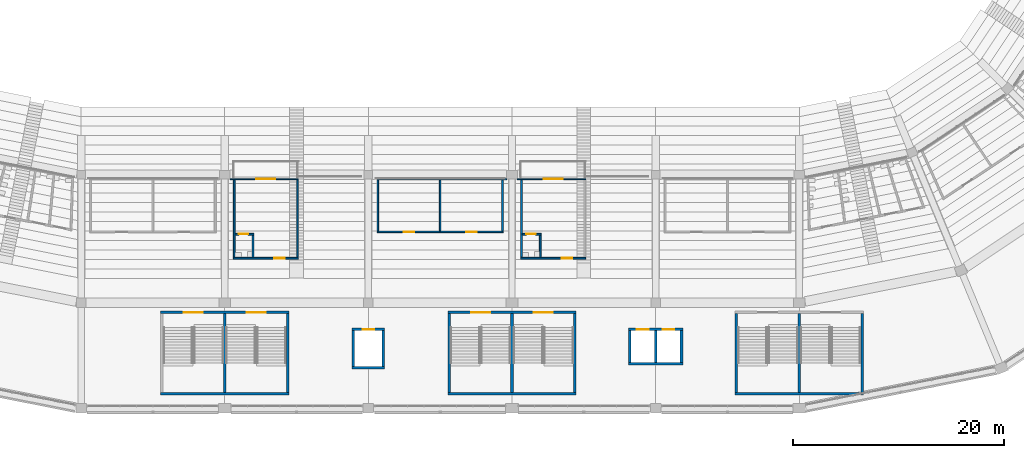
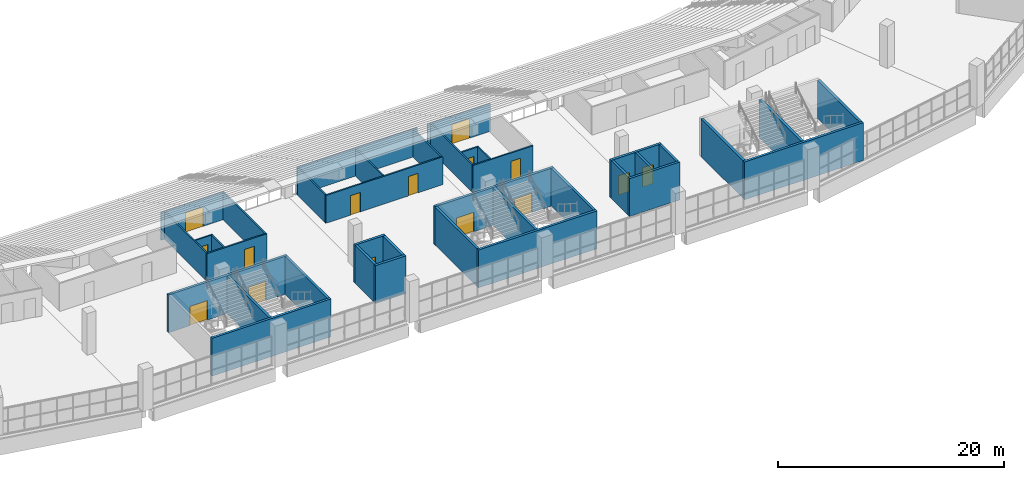
# One storey, part 87 of 249: 38 walls, 15 doors, 15 openings.
"""IFC4 building model written with IfcOpenShell, lengths in metres."""

from ifc_helpers import new_model, si_unit, direction, frame, frame_2d, origin, place, context, subcontext, project, spatial, rectangle, extrude, material, layer, layer_set, type_object, element, fill, save


model = new_model("IFC4")

# Units and contexts
model_context = context("Model", 3, precision=1e-05, world=origin(), true_north=direction((0.0, 1.0)))
body_context = subcontext(model_context, "Body", "Model", "MODEL_VIEW")
ifc_project = project(units=[si_unit("LENGTHUNIT", "METRE"), si_unit("AREAUNIT", "SQUARE_METRE"), si_unit("VOLUMEUNIT", "CUBIC_METRE"), si_unit("PLANEANGLEUNIT", "RADIAN"), si_unit("MASSUNIT", "GRAM", prefix="KILO")], contexts=[model_context])

# Site, building, storey
site_placement = place(None, origin())
site = spatial("IfcSite", under=ifc_project, at=site_placement, CompositionType="ELEMENT")
building_placement = place(site_placement, origin())
building = spatial("IfcBuilding", under=site, at=building_placement, Name="Ogive Plaza Stadium", CompositionType="ELEMENT")
storey_placement = place(building_placement, frame((0.0, 0.0, 13.5)))
storey = spatial("IfcBuildingStorey", under=building, at=storey_placement, Name="L03", CompositionType="ELEMENT", Elevation=13.5)

# Wall, opening, door
ifc_material_1 = material(Name="Masonry blockwork", Category="masonry")
ifc_layer_1 = layer(ifc_material_1, 0.14990234375)
ifc_layer_set_1 = layer_set([ifc_layer_1], Name="Blockwork wall 150")
wall_type_1 = type_object("IfcWallType", Name="Blockwork wall 150", PredefinedType="SOLIDWALL", material=ifc_layer_set_1)
wall_1_placement = place(storey_placement, frame((7.625, -88.300048828125, 0.0), z_axis=(0.0, 0.0, 1.0), x_axis=(1.0, 0.0, 0.0)))
wall_1 = element("IfcWall", 1, at=wall_1_placement, inside=storey, type_object=wall_type_1, Name="Wall L03 B13", PredefinedType="SOLIDWALL", context=body_context, shape_type="SweptSolid", body=[
    extrude(rectangle(XDim=6.14990234375, YDim=0.14990234375, at=frame_2d((3.074951171875, 0.0))), origin(), (0.0, 0.0, 1.0), 3.0),
])
opening_1_placement = place(wall_1_placement, frame((3.862060546875, 0.0, 0.0)))
opening_1 = element("IfcOpeningElement", 2, at=opening_1_placement, cuts=wall_1, Name="Opening D0801", PredefinedType="OPENING", context=body_context, shape_type="SweptSolid", body=[
    extrude(rectangle(XDim=1.0, YDim=2.10009765625, at=frame_2d((0.5, 1.050048828125))), frame((0.0, 0.074951171875, 0.0), z_axis=(0.0, -1.0, 0.0), x_axis=(1.0, 0.0, 0.0)), (0.0, 0.0, 1.0), 0.14990234375),
])
ifc_material_2 = material(Name="Steel ASTM A572 Grade 50", Category="steel")
door_type_1 = type_object("IfcDoorType", Name="Fire door FD30S 1000 x 2100", OperationType="SINGLE_SWING_LEFT", PredefinedType="DOOR", material=ifc_material_2)
door_1_placement = place(opening_1_placement, origin())
door_1 = element("IfcDoor", 3, at=door_1_placement, inside=storey, type_object=door_type_1, Name="Hospitality Suite B13 door", OperationType="SINGLE_SWING_LEFT", OverallHeight=2.10009765625, OverallWidth=1.0, PredefinedType="DOOR", context=body_context, shape_type="SweptSolid", body=[
    extrude(rectangle(XDim=1.0, YDim=2.10009765625, at=frame_2d((0.5, 1.050048828125))), frame((0.0, 0.02490234375, 0.0), z_axis=(0.0, -1.0, 0.0), x_axis=(1.0, 0.0, 0.0)), (0.0, 0.0, 1.0), 0.050048828125),
])
fill(opening_1, door_1)

# Walls
wall_2_placement = place(storey_placement, frame((7.699951171875, -80.85009765625, 0.0), z_axis=(0.0, 0.0, 1.0), x_axis=(0.0, -1.0, 0.0)))
element("IfcWall", 4, at=wall_2_placement, inside=storey, type_object=wall_type_1, Name="Wall L03 B13", PredefinedType="SOLIDWALL", context=body_context, shape_type="SweptSolid", body=[
    extrude(rectangle(XDim=7.375, YDim=0.14990234375, at=frame_2d((3.6875, 0.0))), origin(), (0.0, 0.0, 1.0), 3.0),
])
wall_3_placement = place(storey_placement, frame((6.300048828125, -80.800048828125, 0.0), z_axis=(0.0, 0.0, 1.0), x_axis=(-1.0, 0.0, 0.0)))
element("IfcWall", 5, at=wall_3_placement, inside=storey, type_object=wall_type_1, Name="Wall L03 B14", PredefinedType="SOLIDWALL", context=body_context, shape_type="SweptSolid", body=[
    extrude(rectangle(XDim=12.275146484375, YDim=0.14990234375, at=frame_2d((6.1376953125, 0.0))), origin(), (0.0, 0.0, 1.0), 3.0),
])

# Wall, openings, doors
wall_4_placement = place(storey_placement, frame((5.97509765625, -85.800048828125, 0.0), z_axis=(0.0, 0.0, 1.0), x_axis=(-1.0, 0.0, 0.0)))
wall_4 = element("IfcWall", 6, at=wall_4_placement, inside=storey, type_object=wall_type_1, Name="Wall L03 B14", PredefinedType="SOLIDWALL", context=body_context, shape_type="SweptSolid", body=[
    extrude(rectangle(XDim=11.9501953125, YDim=0.14990234375, at=frame_2d((5.97509765625, 0.0))), origin(), (0.0, 0.0, 1.0), 3.0),
])
opening_2_placement = place(wall_4_placement, frame((2.52490234375, 0.0, 0.0)))
opening_2 = element("IfcOpeningElement", 7, at=opening_2_placement, cuts=wall_4, Name="Opening D0804", PredefinedType="OPENING", context=body_context, shape_type="SweptSolid", body=[
    extrude(rectangle(XDim=1.0, YDim=2.10009765625, at=frame_2d((0.5, 1.050048828125))), frame((0.0, 0.074951171875, 0.0), z_axis=(0.0, -1.0, 0.0), x_axis=(1.0, 0.0, 0.0)), (0.0, 0.0, 1.0), 0.14990234375),
])
opening_3_placement = place(wall_4_placement, frame((8.425048828125, 0.0, 0.0)))
opening_3 = element("IfcOpeningElement", 8, at=opening_3_placement, cuts=wall_4, Name="Opening D0805", PredefinedType="OPENING", context=body_context, shape_type="SweptSolid", body=[
    extrude(rectangle(XDim=1.0, YDim=2.10009765625, at=frame_2d((0.5, 1.050048828125))), frame((0.0, 0.074951171875, 0.0), z_axis=(0.0, -1.0, 0.0), x_axis=(1.0, 0.0, 0.0)), (0.0, 0.0, 1.0), 0.14990234375),
])
ifc_material_3 = material(Name="Steel ASTM A572 Grade 50", Category="steel")
door_type_2 = type_object("IfcDoorType", Name="Fire door FD60 1000 x 2100", OperationType="SINGLE_SWING_LEFT", PredefinedType="DOOR", material=ifc_material_3)
door_2_placement = place(opening_2_placement, origin())
door_2 = element("IfcDoor", 9, at=door_2_placement, inside=storey, type_object=door_type_2, Name="Hospitality Pantry B14 door", OperationType="SINGLE_SWING_LEFT", OverallHeight=2.10009765625, OverallWidth=1.0, PredefinedType="DOOR", context=body_context, shape_type="SweptSolid", body=[
    extrude(rectangle(XDim=1.0, YDim=2.10009765625, at=frame_2d((0.5, 1.050048828125))), frame((0.0, 0.02490234375, 0.0), z_axis=(0.0, -1.0, 0.0), x_axis=(1.0, 0.0, 0.0)), (0.0, 0.0, 1.0), 0.050048828125),
])
fill(opening_2, door_2)
door_3_placement = place(opening_3_placement, origin())
door_3 = element("IfcDoor", 10, at=door_3_placement, inside=storey, type_object=door_type_2, Name="Hospitality Store B14 door", OperationType="SINGLE_SWING_RIGHT", OverallHeight=2.10009765625, OverallWidth=1.0, PredefinedType="DOOR", context=body_context, shape_type="SweptSolid", body=[
    extrude(rectangle(XDim=1.0, YDim=2.10009765625, at=frame_2d((0.5, 1.050048828125))), frame((0.0, 0.02490234375, 0.0), z_axis=(0.0, -1.0, 0.0), x_axis=(1.0, 0.0, 0.0)), (0.0, 0.0, 1.0), 0.050048828125),
])
fill(opening_3, door_3)

# Walls
for number, where, z_axis, x_axis, name in (
    (11, (5.89990234375, -80.875, 0.0), (0.0, 0.0, 1.0), (0.0, -1.0, 0.0), "Wall L03 B14"),
    (12, (0.0, -80.875, 0.0), (0.0, 0.0, 1.0), (0.0, -1.0, 0.0), "Wall L03 B14"),
    (13, (-5.89990234375, -80.875, 0.0), (0.0, 0.0, 1.0), (0.0, -1.0, 0.0), "Wall L03 B14"),
):
    element("IfcWall", number, at=place(storey_placement, frame(where, z_axis=z_axis, x_axis=x_axis)), inside=storey, type_object=wall_type_1, Name=name, PredefinedType="SOLIDWALL", context=body_context, shape_type="SweptSolid", body=[
        extrude(rectangle(XDim=4.85009765625, YDim=0.14990234375, at=frame_2d((2.425048828125, 0.0))), origin(), (0.0, 0.0, 1.0), 3.0),
    ])

# Wall, opening, door
wall_5_placement = place(storey_placement, frame((-19.574951171875, -88.300048828125, 0.0), z_axis=(0.0, 0.0, 1.0), x_axis=(1.0, 0.0, 0.0)))
wall_5 = element("IfcWall", 14, at=wall_5_placement, inside=storey, type_object=wall_type_1, Name="Wall L03 B15", PredefinedType="SOLIDWALL", context=body_context, shape_type="SweptSolid", body=[
    extrude(rectangle(XDim=6.14990234375, YDim=0.14990234375, at=frame_2d((3.074951171875, 0.0))), origin(), (0.0, 0.0, 1.0), 3.0),
])
opening_4_placement = place(wall_5_placement, frame((3.862060546875, 0.0, 0.0)))
opening_4 = element("IfcOpeningElement", 15, at=opening_4_placement, cuts=wall_5, Name="Opening D0806", PredefinedType="OPENING", context=body_context, shape_type="SweptSolid", body=[
    extrude(rectangle(XDim=1.0, YDim=2.10009765625, at=frame_2d((0.5, 1.050048828125))), frame((0.0, 0.074951171875, 0.0), z_axis=(0.0, -1.0, 0.0), x_axis=(1.0, 0.0, 0.0)), (0.0, 0.0, 1.0), 0.14990234375),
])
door_4_placement = place(opening_4_placement, origin())
door_4 = element("IfcDoor", 16, at=door_4_placement, inside=storey, type_object=door_type_1, Name="Hospitality Suite B15 door", OperationType="SINGLE_SWING_LEFT", OverallHeight=2.10009765625, OverallWidth=1.0, PredefinedType="DOOR", context=body_context, shape_type="SweptSolid", body=[
    extrude(rectangle(XDim=1.0, YDim=2.10009765625, at=frame_2d((0.5, 1.050048828125))), frame((0.0, 0.02490234375, 0.0), z_axis=(0.0, -1.0, 0.0), x_axis=(1.0, 0.0, 0.0)), (0.0, 0.0, 1.0), 0.050048828125),
])
fill(opening_4, door_4)

# Walls
for number, where, z_axis, x_axis, name in (
    (17, (-19.5, -80.85009765625, 0.0), (0.0, 0.0, 1.0), (0.0, -1.0, 0.0), "Wall L03 B15"),
    (18, (-13.5, -80.85009765625, 0.0), (0.0, 0.0, 1.0), (0.0, -1.0, 0.0), "Wall L03 B15"),
):
    element("IfcWall", number, at=place(storey_placement, frame(where, z_axis=z_axis, x_axis=x_axis)), inside=storey, type_object=wall_type_1, Name=name, PredefinedType="SOLIDWALL", context=body_context, shape_type="SweptSolid", body=[
        extrude(rectangle(XDim=7.375, YDim=0.14990234375, at=frame_2d((3.6875, 0.0))), origin(), (0.0, 0.0, 1.0), 3.0),
    ])
ifc_material_4 = material(Name="Concrete C40/50", Category="concrete")
ifc_layer_2 = layer(ifc_material_4, 0.25)
ifc_layer_set_2 = layer_set([ifc_layer_2], Name="Concrete C40/50")
wall_type_2 = type_object("IfcWallType", Name="Core wall 250", PredefinedType="SHEAR", material=ifc_layer_set_2)
wall_6_placement = place(storey_placement, frame((27.925048828125, -101.135009765625, 0.0), z_axis=(0.0, 0.0, 1.0), x_axis=(1.0, 0.0, 0.0)))
element("IfcWall", 19, at=wall_6_placement, inside=storey, type_object=wall_type_2, Name="Stair core R12 outer wall", PredefinedType="SHEAR", context=body_context, shape_type="SweptSolid", body=[
    extrude(rectangle(XDim=12.14990234375, YDim=0.25, at=frame_2d((6.074951171875, 0.0))), origin(), (0.0, 0.0, 1.0), 4.090087890625),
])
for number, where, z_axis, x_axis, name in (
    (20, (28.050048828125, -93.550048828125, 0.0), (0.0, 0.0, 1.0), (0.0, -1.0, 0.0), "Stair core R12 side wall"),
    (21, (39.949951171875, -93.550048828125, 0.0), (0.0, 0.0, 1.0), (0.0, -1.0, 0.0), "Stair core R12 side wall"),
    (22, (34.0, -93.550048828125, 0.0), (0.0, 0.0, 1.0), (0.0, -1.0, 0.0), "Stair core R12 centre wall"),
):
    element("IfcWall", number, at=place(storey_placement, frame(where, z_axis=z_axis, x_axis=x_axis)), inside=storey, type_object=wall_type_2, Name=name, PredefinedType="SHEAR", context=body_context, shape_type="SweptSolid", body=[
        extrude(rectangle(XDim=7.4599609375, YDim=0.25, at=frame_2d((3.72998046875, 0.0))), origin(), (0.0, 0.0, 1.0), 4.090087890625),
    ])

# Wall, openings, doors
wall_7_placement = place(storey_placement, frame((0.72509765625, -93.425048828125, 0.0), z_axis=(0.0, 0.0, 1.0), x_axis=(1.0, 0.0, 0.0)))
wall_7 = element("IfcWall", 23, at=wall_7_placement, inside=storey, type_object=wall_type_2, Name="Stair core R14 inner wall", PredefinedType="SHEAR", context=body_context, shape_type="SweptSolid", body=[
    extrude(rectangle(XDim=12.14990234375, YDim=0.25, at=frame_2d((6.074951171875, 0.0))), origin(), (0.0, 0.0, 1.0), 4.090087890625),
])
opening_5_placement = place(wall_7_placement, frame((2.199951171875, 0.0, 0.0)))
opening_5 = element("IfcOpeningElement", 24, at=opening_5_placement, cuts=wall_7, Name="Opening D0125", PredefinedType="OPENING", context=body_context, shape_type="SweptSolid", body=[
    extrude(rectangle(XDim=1.800048828125, YDim=2.10009765625, at=frame_2d((0.89990234375, 1.050048828125))), frame((0.0, 0.125, 0.0), z_axis=(0.0, -1.0, 0.0), x_axis=(1.0, 0.0, 0.0)), (0.0, 0.0, 1.0), 0.25),
])
opening_6_placement = place(wall_7_placement, frame((8.14990234375, 0.0, 0.0)))
opening_6 = element("IfcOpeningElement", 25, at=opening_6_placement, cuts=wall_7, Name="Opening D0126", PredefinedType="OPENING", context=body_context, shape_type="SweptSolid", body=[
    extrude(rectangle(XDim=1.800048828125, YDim=2.10009765625, at=frame_2d((0.89990234375, 1.050048828125))), frame((0.0, 0.125, 0.0), z_axis=(0.0, -1.0, 0.0), x_axis=(1.0, 0.0, 0.0)), (0.0, 0.0, 1.0), 0.25),
])
ifc_material_5 = material(Name="Steel ASTM A572 Grade 50", Category="steel")
door_type_3 = type_object("IfcDoorType", Name="Fire door FD90 pair 1800 x 2100", OperationType="DOUBLE_DOOR_SINGLE_SWING", PredefinedType="DOOR", material=ifc_material_5)
door_5_placement = place(opening_5_placement, origin())
door_5 = element("IfcDoor", 26, at=door_5_placement, inside=storey, type_object=door_type_3, Name="Exit stair R14A door L03", OperationType="DOUBLE_DOOR_SINGLE_SWING", OverallHeight=2.10009765625, OverallWidth=1.800048828125, PredefinedType="DOOR", context=body_context, shape_type="SweptSolid", body=[
    extrude(rectangle(XDim=1.800048828125, YDim=2.10009765625, at=frame_2d((0.89990234375, 1.050048828125))), frame((0.0, 0.02490234375, 0.0), z_axis=(0.0, -1.0, 0.0), x_axis=(1.0, 0.0, 0.0)), (0.0, 0.0, 1.0), 0.050048828125),
])
fill(opening_5, door_5)
door_6_placement = place(opening_6_placement, origin())
door_6 = element("IfcDoor", 27, at=door_6_placement, inside=storey, type_object=door_type_3, Name="Exit stair R14B door L03", OperationType="DOUBLE_DOOR_SINGLE_SWING", OverallHeight=2.10009765625, OverallWidth=1.800048828125, PredefinedType="DOOR", context=body_context, shape_type="SweptSolid", body=[
    extrude(rectangle(XDim=1.800048828125, YDim=2.10009765625, at=frame_2d((0.89990234375, 1.050048828125))), frame((0.0, 0.02490234375, 0.0), z_axis=(0.0, -1.0, 0.0), x_axis=(1.0, 0.0, 0.0)), (0.0, 0.0, 1.0), 0.050048828125),
])
fill(opening_6, door_6)

# Walls
wall_8_placement = place(storey_placement, frame((0.72509765625, -101.135009765625, 0.0), z_axis=(0.0, 0.0, 1.0), x_axis=(1.0, 0.0, 0.0)))
element("IfcWall", 28, at=wall_8_placement, inside=storey, type_object=wall_type_2, Name="Stair core R14 outer wall", PredefinedType="SHEAR", context=body_context, shape_type="SweptSolid", body=[
    extrude(rectangle(XDim=12.14990234375, YDim=0.25, at=frame_2d((6.074951171875, 0.0))), origin(), (0.0, 0.0, 1.0), 4.090087890625),
])
for number, where, z_axis, x_axis, name in (
    (29, (0.85009765625, -93.550048828125, 0.0), (0.0, 0.0, 1.0), (0.0, -1.0, 0.0), "Stair core R14 side wall"),
    (30, (12.75, -93.550048828125, 0.0), (0.0, 0.0, 1.0), (0.0, -1.0, 0.0), "Stair core R14 side wall"),
    (31, (6.800048828125, -93.550048828125, 0.0), (0.0, 0.0, 1.0), (0.0, -1.0, 0.0), "Stair core R14 centre wall"),
):
    element("IfcWall", number, at=place(storey_placement, frame(where, z_axis=z_axis, x_axis=x_axis)), inside=storey, type_object=wall_type_2, Name=name, PredefinedType="SHEAR", context=body_context, shape_type="SweptSolid", body=[
        extrude(rectangle(XDim=7.4599609375, YDim=0.25, at=frame_2d((3.72998046875, 0.0))), origin(), (0.0, 0.0, 1.0), 4.090087890625),
    ])

# Wall, openings, doors
wall_9_placement = place(storey_placement, frame((-26.47509765625, -93.425048828125, 0.0), z_axis=(0.0, 0.0, 1.0), x_axis=(1.0, 0.0, 0.0)))
wall_9 = element("IfcWall", 32, at=wall_9_placement, inside=storey, type_object=wall_type_2, Name="Stair core R16 inner wall", PredefinedType="SHEAR", context=body_context, shape_type="SweptSolid", body=[
    extrude(rectangle(XDim=12.150146484375, YDim=0.25, at=frame_2d((6.0751953125, 0.0))), origin(), (0.0, 0.0, 1.0), 4.090087890625),
])
opening_7_placement = place(wall_9_placement, frame((2.199951171875, 0.0, 0.0)))
opening_7 = element("IfcOpeningElement", 33, at=opening_7_placement, cuts=wall_9, Name="Opening D0139", PredefinedType="OPENING", context=body_context, shape_type="SweptSolid", body=[
    extrude(rectangle(XDim=1.800048828125, YDim=2.10009765625, at=frame_2d((0.89990234375, 1.050048828125))), frame((0.0, 0.125, 0.0), z_axis=(0.0, -1.0, 0.0), x_axis=(1.0, 0.0, 0.0)), (0.0, 0.0, 1.0), 0.25),
])
opening_8_placement = place(wall_9_placement, frame((8.14990234375, 0.0, 0.0)))
opening_8 = element("IfcOpeningElement", 34, at=opening_8_placement, cuts=wall_9, Name="Opening D0140", PredefinedType="OPENING", context=body_context, shape_type="SweptSolid", body=[
    extrude(rectangle(XDim=1.800048828125, YDim=2.10009765625, at=frame_2d((0.89990234375, 1.050048828125))), frame((0.0, 0.125, 0.0), z_axis=(0.0, -1.0, 0.0), x_axis=(1.0, 0.0, 0.0)), (0.0, 0.0, 1.0), 0.25),
])
door_7_placement = place(opening_7_placement, origin())
door_7 = element("IfcDoor", 35, at=door_7_placement, inside=storey, type_object=door_type_3, Name="Exit stair R16A door L03", OperationType="DOUBLE_DOOR_SINGLE_SWING", OverallHeight=2.10009765625, OverallWidth=1.800048828125, PredefinedType="DOOR", context=body_context, shape_type="SweptSolid", body=[
    extrude(rectangle(XDim=1.800048828125, YDim=2.10009765625, at=frame_2d((0.89990234375, 1.050048828125))), frame((0.0, 0.02490234375, 0.0), z_axis=(0.0, -1.0, 0.0), x_axis=(1.0, 0.0, 0.0)), (0.0, 0.0, 1.0), 0.050048828125),
])
fill(opening_7, door_7)
door_8_placement = place(opening_8_placement, origin())
door_8 = element("IfcDoor", 36, at=door_8_placement, inside=storey, type_object=door_type_3, Name="Exit stair R16B door L03", OperationType="DOUBLE_DOOR_SINGLE_SWING", OverallHeight=2.10009765625, OverallWidth=1.800048828125, PredefinedType="DOOR", context=body_context, shape_type="SweptSolid", body=[
    extrude(rectangle(XDim=1.800048828125, YDim=2.10009765625, at=frame_2d((0.89990234375, 1.050048828125))), frame((0.0, 0.02490234375, 0.0), z_axis=(0.0, -1.0, 0.0), x_axis=(1.0, 0.0, 0.0)), (0.0, 0.0, 1.0), 0.050048828125),
])
fill(opening_8, door_8)

# Walls
wall_10_placement = place(storey_placement, frame((-26.47509765625, -101.135009765625, 0.0), z_axis=(0.0, 0.0, 1.0), x_axis=(1.0, 0.0, 0.0)))
element("IfcWall", 37, at=wall_10_placement, inside=storey, type_object=wall_type_2, Name="Stair core R16 outer wall", PredefinedType="SHEAR", context=body_context, shape_type="SweptSolid", body=[
    extrude(rectangle(XDim=12.150146484375, YDim=0.25, at=frame_2d((6.0751953125, 0.0))), origin(), (0.0, 0.0, 1.0), 4.090087890625),
])
for number, where, z_axis, x_axis, name in (
    (38, (-14.449951171875, -93.550048828125, 0.0), (0.0, 0.0, 1.0), (0.0, -1.0, 0.0), "Stair core R16 side wall"),
    (39, (-20.39990234375, -93.550048828125, 0.0), (0.0, 0.0, 1.0), (0.0, -1.0, 0.0), "Stair core R16 centre wall"),
):
    element("IfcWall", number, at=place(storey_placement, frame(where, z_axis=z_axis, x_axis=x_axis)), inside=storey, type_object=wall_type_2, Name=name, PredefinedType="SHEAR", context=body_context, shape_type="SweptSolid", body=[
        extrude(rectangle(XDim=7.4599609375, YDim=0.25, at=frame_2d((3.72998046875, 0.0))), origin(), (0.0, 0.0, 1.0), 4.090087890625),
    ])

# Wall, openings, doors
wall_11_placement = place(storey_placement, frame((17.824951171875, -95.02490234375, 0.0), z_axis=(0.0, 0.0, 1.0), x_axis=(1.0, 0.0, 0.0)))
wall_11 = element("IfcWall", 40, at=wall_11_placement, inside=storey, type_object=wall_type_2, Name="Lift core LP13 landing wall", PredefinedType="SHEAR", context=body_context, shape_type="SweptSolid", body=[
    extrude(rectangle(XDim=5.150146484375, YDim=0.25, at=frame_2d((2.5751953125, 0.0))), origin(), (0.0, 0.0, 1.0), 4.090087890625),
])
opening_9_placement = place(wall_11_placement, frame((0.800048828125, 0.0, 0.0)))
opening_9 = element("IfcOpeningElement", 41, at=opening_9_placement, cuts=wall_11, Name="Opening LD029", PredefinedType="OPENING", context=body_context, shape_type="SweptSolid", body=[
    extrude(rectangle(XDim=1.10009765625, YDim=2.10009765625, at=frame_2d((0.550048828125, 1.050048828125))), frame((0.0, 0.125, 0.0), z_axis=(0.0, -1.0, 0.0), x_axis=(1.0, 0.0, 0.0)), (0.0, 0.0, 1.0), 0.25),
])
opening_10_placement = place(wall_11_placement, frame((3.25, 0.0, 0.0)))
opening_10 = element("IfcOpeningElement", 42, at=opening_10_placement, cuts=wall_11, Name="Opening LD030", PredefinedType="OPENING", context=body_context, shape_type="SweptSolid", body=[
    extrude(rectangle(XDim=1.10009765625, YDim=2.10009765625, at=frame_2d((0.550048828125, 1.050048828125))), frame((0.0, 0.125, 0.0), z_axis=(0.0, -1.0, 0.0), x_axis=(1.0, 0.0, 0.0)), (0.0, 0.0, 1.0), 0.25),
])
ifc_material_6 = material(Name="Steel ASTM A572 Grade 50", Category="steel")
door_type_4 = type_object("IfcDoorType", Name="Landing door 1100 x 2100", OperationType="SLIDING_TO_LEFT", PredefinedType="DOOR", material=ifc_material_6)
door_9_placement = place(opening_9_placement, origin())
door_9 = element("IfcDoor", 43, at=door_9_placement, inside=storey, type_object=door_type_4, Name="Lift landing door LP13 L03", OperationType="SLIDING_TO_LEFT", OverallHeight=2.10009765625, OverallWidth=1.10009765625, PredefinedType="DOOR", context=body_context, shape_type="SweptSolid", body=[
    extrude(rectangle(XDim=1.10009765625, YDim=2.10009765625, at=frame_2d((0.550048828125, 1.050048828125))), frame((0.0, 0.02490234375, 0.0), z_axis=(0.0, -1.0, 0.0), x_axis=(1.0, 0.0, 0.0)), (0.0, 0.0, 1.0), 0.050048828125),
])
fill(opening_9, door_9)
door_10_placement = place(opening_10_placement, origin())
door_10 = element("IfcDoor", 44, at=door_10_placement, inside=storey, type_object=door_type_4, Name="Lift landing door LP13 L03", OperationType="SLIDING_TO_LEFT", OverallHeight=2.10009765625, OverallWidth=1.10009765625, PredefinedType="DOOR", context=body_context, shape_type="SweptSolid", body=[
    extrude(rectangle(XDim=1.10009765625, YDim=2.10009765625, at=frame_2d((0.550048828125, 1.050048828125))), frame((0.0, 0.02490234375, 0.0), z_axis=(0.0, -1.0, 0.0), x_axis=(1.0, 0.0, 0.0)), (0.0, 0.0, 1.0), 0.050048828125),
])
fill(opening_10, door_10)

# Walls
wall_12_placement = place(storey_placement, frame((17.824951171875, -98.27490234375, 0.0), z_axis=(0.0, 0.0, 1.0), x_axis=(1.0, 0.0, 0.0)))
element("IfcWall", 45, at=wall_12_placement, inside=storey, type_object=wall_type_2, Name="Lift core LP13 rear wall", PredefinedType="SHEAR", context=body_context, shape_type="SweptSolid", body=[
    extrude(rectangle(XDim=5.150146484375, YDim=0.25, at=frame_2d((2.5751953125, 0.0))), origin(), (0.0, 0.0, 1.0), 4.090087890625),
])
for number, where, z_axis, x_axis, name in (
    (46, (17.949951171875, -95.14990234375, 0.0), (0.0, 0.0, 1.0), (0.0, -1.0, 0.0), "Lift core LP13 side wall"),
    (47, (22.85009765625, -95.14990234375, 0.0), (0.0, 0.0, 1.0), (0.0, -1.0, 0.0), "Lift core LP13 side wall"),
    (48, (20.39990234375, -95.14990234375, 0.0), (0.0, 0.0, 1.0), (0.0, -1.0, 0.0), "Lift core LP13 centre wall"),
):
    element("IfcWall", number, at=place(storey_placement, frame(where, z_axis=z_axis, x_axis=x_axis)), inside=storey, type_object=wall_type_2, Name=name, PredefinedType="SHEAR", context=body_context, shape_type="SweptSolid", body=[
        extrude(rectangle(XDim=3.0, YDim=0.25, at=frame_2d((1.5, 0.0))), origin(), (0.0, 0.0, 1.0), 4.090087890625),
    ])

# Wall, opening, door
wall_13_placement = place(storey_placement, frame((-8.35009765625, -95.02490234375, 0.0), z_axis=(0.0, 0.0, 1.0), x_axis=(1.0, 0.0, 0.0)))
wall_13 = element("IfcWall", 49, at=wall_13_placement, inside=storey, type_object=wall_type_2, Name="Lift core LS15 landing wall", PredefinedType="SHEAR", context=body_context, shape_type="SweptSolid", body=[
    extrude(rectangle(XDim=3.10009765625, YDim=0.25, at=frame_2d((1.550048828125, 0.0))), origin(), (0.0, 0.0, 1.0), 4.090087890625),
])
opening_11_placement = place(wall_13_placement, frame((1.0, 0.0, 0.0)))
opening_11 = element("IfcOpeningElement", 50, at=opening_11_placement, cuts=wall_13, Name="Opening LD039", PredefinedType="OPENING", context=body_context, shape_type="SweptSolid", body=[
    extrude(rectangle(XDim=1.10009765625, YDim=2.10009765625, at=frame_2d((0.550048828125, 1.050048828125))), frame((0.0, 0.125, 0.0), z_axis=(0.0, -1.0, 0.0), x_axis=(1.0, 0.0, 0.0)), (0.0, 0.0, 1.0), 0.25),
])
door_11_placement = place(opening_11_placement, origin())
door_11 = element("IfcDoor", 51, at=door_11_placement, inside=storey, type_object=door_type_4, Name="Lift landing door LS15 L03", OperationType="SLIDING_TO_LEFT", OverallHeight=2.10009765625, OverallWidth=1.10009765625, PredefinedType="DOOR", context=body_context, shape_type="SweptSolid", body=[
    extrude(rectangle(XDim=1.10009765625, YDim=2.10009765625, at=frame_2d((0.550048828125, 1.050048828125))), frame((0.0, 0.02490234375, 0.0), z_axis=(0.0, -1.0, 0.0), x_axis=(1.0, 0.0, 0.0)), (0.0, 0.0, 1.0), 0.050048828125),
])
fill(opening_11, door_11)

# Walls
wall_14_placement = place(storey_placement, frame((-8.35009765625, -98.675048828125, 0.0), z_axis=(0.0, 0.0, 1.0), x_axis=(1.0, 0.0, 0.0)))
element("IfcWall", 52, at=wall_14_placement, inside=storey, type_object=wall_type_2, Name="Lift core LS15 rear wall", PredefinedType="SHEAR", context=body_context, shape_type="SweptSolid", body=[
    extrude(rectangle(XDim=3.10009765625, YDim=0.25, at=frame_2d((1.550048828125, 0.0))), origin(), (0.0, 0.0, 1.0), 4.090087890625),
])
for number, where, z_axis, x_axis, name in (
    (53, (-8.22509765625, -95.14990234375, 0.0), (0.0, 0.0, 1.0), (0.0, -1.0, 0.0), "Lift core LS15 side wall"),
    (54, (-5.375, -95.14990234375, 0.0), (0.0, 0.0, 1.0), (0.0, -1.0, 0.0), "Lift core LS15 side wall"),
):
    element("IfcWall", number, at=place(storey_placement, frame(where, z_axis=z_axis, x_axis=x_axis)), inside=storey, type_object=wall_type_2, Name=name, PredefinedType="SHEAR", context=body_context, shape_type="SweptSolid", body=[
        extrude(rectangle(XDim=3.400146484375, YDim=0.25, at=frame_2d((1.7001953125, 0.0))), origin(), (0.0, 0.0, 1.0), 4.090087890625),
    ])

# Wall, opening, door
ifc_material_7 = material(Name="Laminated glass in aluminium frame", Category="aluminium")
ifc_layer_3 = layer(ifc_material_7, 0.10009765625)
ifc_layer_set_3 = layer_set([ifc_layer_3], Name="Glazed partition 100")
wall_type_3 = type_object("IfcWallType", Name="Glazed partition 100", PredefinedType="PARTITIONING", material=ifc_layer_set_3)
wall_15_placement = place(storey_placement, frame((7.300048828125, -80.800048828125, 0.0), z_axis=(0.0, 0.0, 1.0), x_axis=(1.0, 0.0, 0.0)))
wall_15 = element("IfcWall", 55, at=wall_15_placement, inside=storey, type_object=wall_type_3, Name="Wall L03 B13", PredefinedType="PARTITIONING", context=body_context, shape_type="SweptSolid", body=[
    extrude(rectangle(XDim=6.474853515625, YDim=0.10009765625, at=frame_2d((3.2373046875, 0.0))), origin(), (0.0, 0.0, 1.0), 3.0),
])
opening_12_placement = place(wall_15_placement, frame((2.5, 0.0, 0.0)))
opening_12 = element("IfcOpeningElement", 56, at=opening_12_placement, cuts=wall_15, Name="Opening D0802", PredefinedType="OPENING", context=body_context, shape_type="SweptSolid", body=[
    extrude(rectangle(XDim=1.800048828125, YDim=2.10009765625, at=frame_2d((0.89990234375, 1.050048828125))), frame((0.0, 0.050048828125, 0.0), z_axis=(0.0, -1.0, 0.0), x_axis=(1.0, 0.0, 0.0)), (0.0, 0.0, 1.0), 0.10009765625),
])
ifc_material_8 = material(Name="Steel ASTM A572 Grade 50", Category="steel")
door_type_5 = type_object("IfcDoorType", Name="Door pair 1800 x 2100", OperationType="DOUBLE_DOOR_SINGLE_SWING", PredefinedType="DOOR", material=ifc_material_8)
door_12_placement = place(opening_12_placement, origin())
door_12 = element("IfcDoor", 57, at=door_12_placement, inside=storey, type_object=door_type_5, Name="Suite terrace door B13", OperationType="DOUBLE_DOOR_SINGLE_SWING", OverallHeight=2.10009765625, OverallWidth=1.800048828125, PredefinedType="DOOR", context=body_context, shape_type="SweptSolid", body=[
    extrude(rectangle(XDim=1.800048828125, YDim=2.10009765625, at=frame_2d((0.89990234375, 1.050048828125))), frame((0.0, 0.02490234375, 0.0), z_axis=(0.0, -1.0, 0.0), x_axis=(1.0, 0.0, 0.0)), (0.0, 0.0, 1.0), 0.050048828125),
])
fill(opening_12, door_12)

wall_16_placement = place(storey_placement, frame((-19.89990234375, -80.800048828125, 0.0), z_axis=(0.0, 0.0, 1.0), x_axis=(1.0, 0.0, 0.0)))
wall_16 = element("IfcWall", 58, at=wall_16_placement, inside=storey, type_object=wall_type_3, Name="Wall L03 B15", PredefinedType="PARTITIONING", context=body_context, shape_type="SweptSolid", body=[
    extrude(rectangle(XDim=6.474853515625, YDim=0.10009765625, at=frame_2d((3.2373046875, 0.0))), origin(), (0.0, 0.0, 1.0), 3.0),
])
opening_13_placement = place(wall_16_placement, frame((2.5, 0.0, 0.0)))
opening_13 = element("IfcOpeningElement", 59, at=opening_13_placement, cuts=wall_16, Name="Opening D0807", PredefinedType="OPENING", context=body_context, shape_type="SweptSolid", body=[
    extrude(rectangle(XDim=1.800048828125, YDim=2.10009765625, at=frame_2d((0.89990234375, 1.050048828125))), frame((0.0, 0.050048828125, 0.0), z_axis=(0.0, -1.0, 0.0), x_axis=(1.0, 0.0, 0.0)), (0.0, 0.0, 1.0), 0.10009765625),
])
door_13_placement = place(opening_13_placement, origin())
door_13 = element("IfcDoor", 60, at=door_13_placement, inside=storey, type_object=door_type_5, Name="Suite terrace door B15", OperationType="DOUBLE_DOOR_SINGLE_SWING", OverallHeight=2.10009765625, OverallWidth=1.800048828125, PredefinedType="DOOR", context=body_context, shape_type="SweptSolid", body=[
    extrude(rectangle(XDim=1.800048828125, YDim=2.10009765625, at=frame_2d((0.89990234375, 1.050048828125))), frame((0.0, 0.02490234375, 0.0), z_axis=(0.0, -1.0, 0.0), x_axis=(1.0, 0.0, 0.0)), (0.0, 0.0, 1.0), 0.050048828125),
])
fill(opening_13, door_13)

ifc_material_9 = material(Name="Gypsum board partition", Category="gypsum")
ifc_layer_4 = layer(ifc_material_9, 0.14990234375)
ifc_layer_set_4 = layer_set([ifc_layer_4], Name="Partition 150")
wall_type_4 = type_object("IfcWallType", Name="Partition 150", PredefinedType="PARTITIONING", material=ifc_layer_set_4)
wall_17_placement = place(storey_placement, frame((7.77490234375, -86.02490234375, 0.0), z_axis=(0.0, 0.0, 1.0), x_axis=(1.0, 0.0, 0.0)))
wall_17 = element("IfcWall", 61, at=wall_17_placement, inside=storey, type_object=wall_type_4, Name="Wall L03 B13", PredefinedType="PARTITIONING", context=body_context, shape_type="SweptSolid", body=[
    extrude(rectangle(XDim=1.775146484375, YDim=0.14990234375, at=frame_2d((0.8876953125, 0.0))), origin(), (0.0, 0.0, 1.0), 3.0),
])
opening_14_placement = place(wall_17_placement, frame((0.362548828125, 0.0, 0.0)))
opening_14 = element("IfcOpeningElement", 62, at=opening_14_placement, cuts=wall_17, Name="Opening D0803", PredefinedType="OPENING", context=body_context, shape_type="SweptSolid", body=[
    extrude(rectangle(XDim=0.89990234375, YDim=2.10009765625, at=frame_2d((0.449951171875, 1.050048828125))), frame((0.0, 0.074951171875, 0.0), z_axis=(0.0, -1.0, 0.0), x_axis=(1.0, 0.0, 0.0)), (0.0, 0.0, 1.0), 0.14990234375),
])
ifc_material_10 = material(Name="Steel ASTM A572 Grade 50", Category="steel")
door_type_6 = type_object("IfcDoorType", Name="Door 900 x 2100", OperationType="SINGLE_SWING_LEFT", PredefinedType="DOOR", material=ifc_material_10)
door_14_placement = place(opening_14_placement, origin())
door_14 = element("IfcDoor", 63, at=door_14_placement, inside=storey, type_object=door_type_6, Name="Suite WC B13 door", OperationType="SINGLE_SWING_RIGHT", OverallHeight=2.10009765625, OverallWidth=0.89990234375, PredefinedType="DOOR", context=body_context, shape_type="SweptSolid", body=[
    extrude(rectangle(XDim=0.89990234375, YDim=2.10009765625, at=frame_2d((0.449951171875, 1.050048828125))), frame((0.0, 0.02490234375, 0.0), z_axis=(0.0, -1.0, 0.0), x_axis=(1.0, 0.0, 0.0)), (0.0, 0.0, 1.0), 0.050048828125),
])
fill(opening_14, door_14)

# Wall
wall_18_placement = place(storey_placement, frame((9.47509765625, -86.10009765625, 0.0), z_axis=(0.0, 0.0, 1.0), x_axis=(0.0, -1.0, 0.0)))
element("IfcWall", 64, at=wall_18_placement, inside=storey, type_object=wall_type_4, Name="Wall L03 B13", PredefinedType="PARTITIONING", context=body_context, shape_type="SweptSolid", body=[
    extrude(rectangle(XDim=2.125, YDim=0.14990234375, at=frame_2d((1.0625, 0.0))), origin(), (0.0, 0.0, 1.0), 3.0),
])

# Wall, opening, door
wall_19_placement = place(storey_placement, frame((-19.425048828125, -86.02490234375, 0.0), z_axis=(0.0, 0.0, 1.0), x_axis=(1.0, 0.0, 0.0)))
wall_19 = element("IfcWall", 65, at=wall_19_placement, inside=storey, type_object=wall_type_4, Name="Wall L03 B15", PredefinedType="PARTITIONING", context=body_context, shape_type="SweptSolid", body=[
    extrude(rectangle(XDim=1.775146484375, YDim=0.14990234375, at=frame_2d((0.8876953125, 0.0))), origin(), (0.0, 0.0, 1.0), 3.0),
])
opening_15_placement = place(wall_19_placement, frame((0.362548828125, 0.0, 0.0)))
opening_15 = element("IfcOpeningElement", 66, at=opening_15_placement, cuts=wall_19, Name="Opening D0808", PredefinedType="OPENING", context=body_context, shape_type="SweptSolid", body=[
    extrude(rectangle(XDim=0.89990234375, YDim=2.10009765625, at=frame_2d((0.449951171875, 1.050048828125))), frame((0.0, 0.074951171875, 0.0), z_axis=(0.0, -1.0, 0.0), x_axis=(1.0, 0.0, 0.0)), (0.0, 0.0, 1.0), 0.14990234375),
])
door_15_placement = place(opening_15_placement, origin())
door_15 = element("IfcDoor", 67, at=door_15_placement, inside=storey, type_object=door_type_6, Name="Suite WC B15 door", OperationType="SINGLE_SWING_LEFT", OverallHeight=2.10009765625, OverallWidth=0.89990234375, PredefinedType="DOOR", context=body_context, shape_type="SweptSolid", body=[
    extrude(rectangle(XDim=0.89990234375, YDim=2.10009765625, at=frame_2d((0.449951171875, 1.050048828125))), frame((0.0, 0.02490234375, 0.0), z_axis=(0.0, -1.0, 0.0), x_axis=(1.0, 0.0, 0.0)), (0.0, 0.0, 1.0), 0.050048828125),
])
fill(opening_15, door_15)

# Wall
wall_20_placement = place(storey_placement, frame((-17.72509765625, -86.10009765625, 0.0), z_axis=(0.0, 0.0, 1.0), x_axis=(0.0, -1.0, 0.0)))
element("IfcWall", 68, at=wall_20_placement, inside=storey, type_object=wall_type_4, Name="Wall L03 B15", PredefinedType="PARTITIONING", context=body_context, shape_type="SweptSolid", body=[
    extrude(rectangle(XDim=2.125, YDim=0.14990234375, at=frame_2d((1.0625, 0.0))), origin(), (0.0, 0.0, 1.0), 3.0),
])

save(model, "model.ifc")
